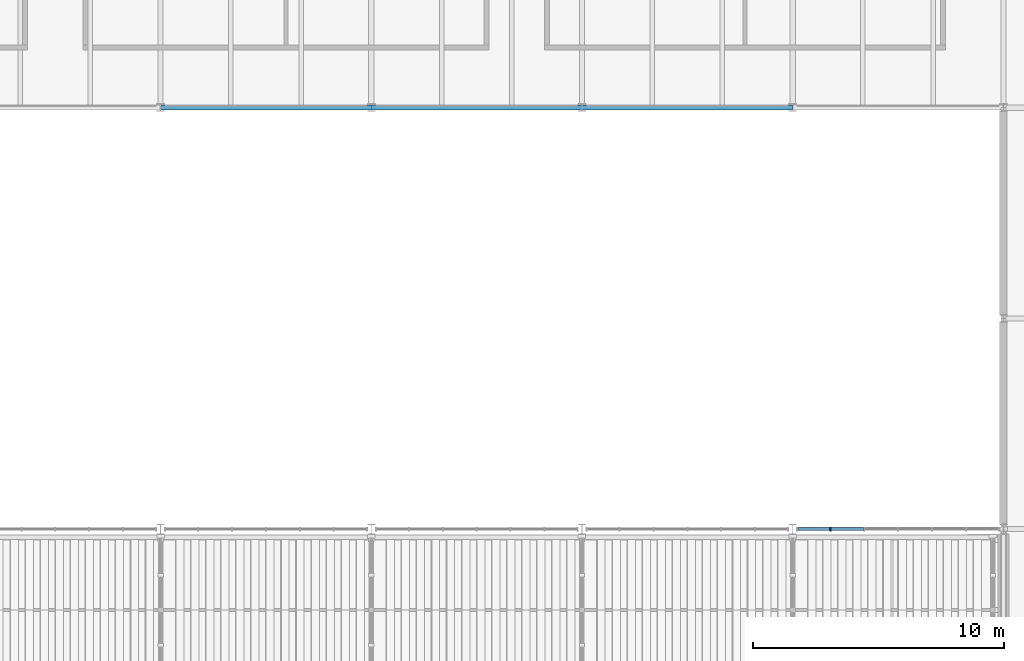
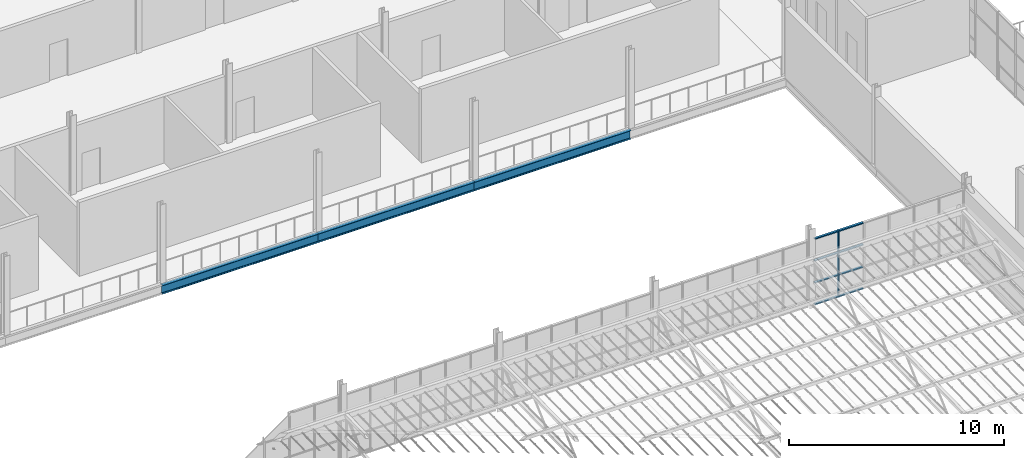
# One storey, part 35 of 129: 9 members, 3 beams, 1 element without a shape of its own.
"""IFC4 building model written with IfcOpenShell, lengths in metres."""

from ifc_helpers import new_model, si_unit, direction, frame, origin, origin_2d, place, context, subcontext, project, spatial, rectangle, i_section, extrude, material, layer, layer_set, material_profile, profile_set, type_object, element, aggregate, save


model = new_model("IFC4")

# Units and contexts
model_context = context("Model", 3, precision=1e-05, world=origin(), true_north=direction((0.0, 1.0)))
body_context = subcontext(model_context, "Body", "Model", "MODEL_VIEW")
ifc_project = project(units=[si_unit("LENGTHUNIT", "METRE"), si_unit("AREAUNIT", "SQUARE_METRE"), si_unit("VOLUMEUNIT", "CUBIC_METRE"), si_unit("PLANEANGLEUNIT", "RADIAN"), si_unit("MASSUNIT", "GRAM", prefix="KILO")], contexts=[model_context])

# Site, building, storey
site_placement = place(None, origin())
site = spatial("IfcSite", under=ifc_project, at=site_placement, CompositionType="ELEMENT")
building_placement = place(site_placement, origin())
building = spatial("IfcBuilding", under=site, at=building_placement, Name="Ardhachandra Cancer Care Centre", CompositionType="ELEMENT")
storey_placement = place(building_placement, frame((0.0, 0.0, 4.5)))
storey = spatial("IfcBuildingStorey", under=building, at=storey_placement, Name="L01", CompositionType="ELEMENT", Elevation=4.5)

# Beams
ifc_material_1 = material(Name="Steel E350 (IS 2062)", Category="steel")
ifc_material_profile_1 = material_profile(ifc_material_1, i_section(OverallWidth=0.199951171875, OverallDepth=0.5, WebThickness=0.01025390625, FlangeThickness=0.01611328125, FilletRadius=0.02099609375, at=origin_2d()), Name="NPB 500x200x90.68")
ifc_profile_set_1 = profile_set([ifc_material_profile_1], Name="Steel E350 (IS 2062)")
beam_type = type_object("IfcBeamType", Name="Beam NPB 500x200x90.68", PredefinedType="BEAM", material=ifc_profile_set_1)
beam_1_placement = place(storey_placement, frame((78.0, 71.39990234375, -0.39990234375), z_axis=(1.0, 0.0, 0.0), x_axis=(0.0, 1.0, 0.0)))
element("IfcBeam", 1, at=beam_1_placement, inside=storey, type_object=beam_type, Name="Edge girder H9-H10", PredefinedType="BEAM", context=body_context, shape_type="SweptSolid", body=[
    extrude(i_section(OverallWidth=0.199951171875, OverallDepth=0.5, WebThickness=0.01025390625, FlangeThickness=0.01611328125, FilletRadius=0.02099609375, at=origin_2d()), origin(), (0.0, 0.0, 1.0), 8.39990234375),
])
beam_2_placement = place(storey_placement, frame((86.39990234375, 71.39990234375, -0.39990234375), z_axis=(1.0, 0.0, 0.0), x_axis=(0.0, 1.0, 0.0)))
element("IfcBeam", 2, at=beam_2_placement, inside=storey, type_object=beam_type, Name="Edge girder H10-H11", PredefinedType="BEAM", context=body_context, shape_type="SweptSolid", body=[
    extrude(i_section(OverallWidth=0.199951171875, OverallDepth=0.5, WebThickness=0.01025390625, FlangeThickness=0.01611328125, FilletRadius=0.02099609375, at=origin_2d()), origin(), (0.0, 0.0, 1.0), 8.400146484375),
])
beam_3_placement = place(storey_placement, frame((94.800048828125, 71.39990234375, -0.39990234375), z_axis=(1.0, 0.0, 0.0), x_axis=(0.0, 1.0, 0.0)))
element("IfcBeam", 3, at=beam_3_placement, inside=storey, type_object=beam_type, Name="Edge girder H11-H12", PredefinedType="BEAM", context=body_context, shape_type="SweptSolid", body=[
    extrude(i_section(OverallWidth=0.199951171875, OverallDepth=0.5, WebThickness=0.01025390625, FlangeThickness=0.01611328125, FilletRadius=0.02099609375, at=origin_2d()), origin(), (0.0, 0.0, 1.0), 8.39990234375),
])

# Curtain wall, members
ifc_material_2 = material(Name="Aluminium extrusion", Category="aluminium")
ifc_layer = layer(ifc_material_2, 0.14990234375)
ifc_layer_set = layer_set([ifc_layer], Name="Aluminium extrusion")
curtain_wall_type = type_object("IfcCurtainWallType", Name="Curtain wall run", PredefinedType="NOTDEFINED", material=ifc_layer_set)
curtain_wall_placement = place(storey_placement, origin())
curtain_wall = element("IfcCurtainWall", 4, at=curtain_wall_placement, inside=storey, type_object=curtain_wall_type, Name="Curtain wall L01 s/0103200_0054600", PredefinedType="NOTDEFINED")
ifc_material_3 = material(Name="Aluminium extrusion", Category="aluminium")
ifc_material_profile_2 = material_profile(ifc_material_3, rectangle(XDim=0.159912109375, YDim=0.06005859375, at=origin_2d()), Name="Curtain wall mullion 60 x 160")
ifc_profile_set_2 = profile_set([ifc_material_profile_2], Name="Aluminium extrusion")
member_type_1 = type_object("IfcMemberType", Name="Curtain wall mullion 60 x 160", PredefinedType="MULLION", material=ifc_profile_set_2)
member_1_placement = place(storey_placement, frame((104.699951171875, 54.60009765625, 0.0), z_axis=(0.0, 0.0, 1.0), x_axis=(0.0, 1.0, 0.0)))
member_1 = element("IfcMember", 5, at=member_1_placement, type_object=member_type_1, Name="CW mullion 2", PredefinedType="MULLION", context=body_context, shape_type="SweptSolid", body=[
    extrude(rectangle(XDim=0.159912109375, YDim=0.06005859375, at=origin_2d()), origin(), (0.0, 0.0, 1.0), 3.780517578125),
])
ifc_material_4 = material(Name="Aluminium extrusion", Category="aluminium")
ifc_material_profile_3 = material_profile(ifc_material_4, rectangle(XDim=0.1201171875, YDim=0.06005859375, at=origin_2d()), Name="Curtain wall transom 60 x 120")
ifc_profile_set_3 = profile_set([ifc_material_profile_3], Name="Aluminium extrusion")
member_type_2 = type_object("IfcMemberType", Name="Curtain wall transom 60 x 120", PredefinedType="USERDEFINED", material=ifc_profile_set_3)
member_2_placement = place(storey_placement, frame((103.409912109375, 54.60009765625, 0.030029296875), z_axis=(1.0, 0.0, 0.0), x_axis=(0.0, 1.0, 0.0)))
member_2 = element("IfcMember", 6, at=member_2_placement, type_object=member_type_2, Name="CW transom 1.1", ObjectType="TRANSOM", PredefinedType="USERDEFINED", context=body_context, shape_type="SweptSolid", body=[
    extrude(rectangle(XDim=0.1201171875, YDim=0.06005859375, at=origin_2d()), origin(), (0.0, 0.0, 1.0), 1.260009765625),
])
member_3_placement = place(storey_placement, frame((103.409912109375, 54.60009765625, 1.26025390625), z_axis=(1.0, 0.0, 0.0), x_axis=(0.0, 1.0, 0.0)))
member_3 = element("IfcMember", 7, at=member_3_placement, type_object=member_type_2, Name="CW transom 1.2", ObjectType="TRANSOM", PredefinedType="USERDEFINED", context=body_context, shape_type="SweptSolid", body=[
    extrude(rectangle(XDim=0.1201171875, YDim=0.06005859375, at=origin_2d()), origin(), (0.0, 0.0, 1.0), 1.260009765625),
])
member_4_placement = place(storey_placement, frame((103.409912109375, 54.60009765625, 2.520263671875), z_axis=(1.0, 0.0, 0.0), x_axis=(0.0, 1.0, 0.0)))
member_4 = element("IfcMember", 8, at=member_4_placement, type_object=member_type_2, Name="CW transom 1.3", ObjectType="TRANSOM", PredefinedType="USERDEFINED", context=body_context, shape_type="SweptSolid", body=[
    extrude(rectangle(XDim=0.1201171875, YDim=0.06005859375, at=origin_2d()), origin(), (0.0, 0.0, 1.0), 1.260009765625),
])
member_5_placement = place(storey_placement, frame((103.409912109375, 54.60009765625, 3.75048828125), z_axis=(1.0, 0.0, 0.0), x_axis=(0.0, 1.0, 0.0)))
member_5 = element("IfcMember", 9, at=member_5_placement, type_object=member_type_2, Name="CW transom 1.4", ObjectType="TRANSOM", PredefinedType="USERDEFINED", context=body_context, shape_type="SweptSolid", body=[
    extrude(rectangle(XDim=0.1201171875, YDim=0.06005859375, at=origin_2d()), origin(), (0.0, 0.0, 1.0), 1.260009765625),
])
member_6_placement = place(storey_placement, frame((104.72998046875, 54.60009765625, 0.030029296875), z_axis=(1.0, 0.0, 0.0), x_axis=(0.0, 1.0, 0.0)))
member_6 = element("IfcMember", 10, at=member_6_placement, type_object=member_type_2, Name="CW transom 2.1", ObjectType="TRANSOM", PredefinedType="USERDEFINED", context=body_context, shape_type="SweptSolid", body=[
    extrude(rectangle(XDim=0.1201171875, YDim=0.06005859375, at=origin_2d()), origin(), (0.0, 0.0, 1.0), 1.2900390625),
])
member_7_placement = place(storey_placement, frame((104.72998046875, 54.60009765625, 1.26025390625), z_axis=(1.0, 0.0, 0.0), x_axis=(0.0, 1.0, 0.0)))
member_7 = element("IfcMember", 11, at=member_7_placement, type_object=member_type_2, Name="CW transom 2.2", ObjectType="TRANSOM", PredefinedType="USERDEFINED", context=body_context, shape_type="SweptSolid", body=[
    extrude(rectangle(XDim=0.1201171875, YDim=0.06005859375, at=origin_2d()), origin(), (0.0, 0.0, 1.0), 1.2900390625),
])
member_8_placement = place(storey_placement, frame((104.72998046875, 54.60009765625, 2.520263671875), z_axis=(1.0, 0.0, 0.0), x_axis=(0.0, 1.0, 0.0)))
member_8 = element("IfcMember", 12, at=member_8_placement, type_object=member_type_2, Name="CW transom 2.3", ObjectType="TRANSOM", PredefinedType="USERDEFINED", context=body_context, shape_type="SweptSolid", body=[
    extrude(rectangle(XDim=0.1201171875, YDim=0.06005859375, at=origin_2d()), origin(), (0.0, 0.0, 1.0), 1.2900390625),
])
member_9_placement = place(storey_placement, frame((104.72998046875, 54.60009765625, 3.75048828125), z_axis=(1.0, 0.0, 0.0), x_axis=(0.0, 1.0, 0.0)))
member_9 = element("IfcMember", 13, at=member_9_placement, type_object=member_type_2, Name="CW transom 2.4", ObjectType="TRANSOM", PredefinedType="USERDEFINED", context=body_context, shape_type="SweptSolid", body=[
    extrude(rectangle(XDim=0.1201171875, YDim=0.06005859375, at=origin_2d()), origin(), (0.0, 0.0, 1.0), 1.2900390625),
])
aggregate(curtain_wall, [member_1, member_2, member_3, member_4, member_5, member_6, member_7, member_8, member_9])

save(model, "model.ifc")
